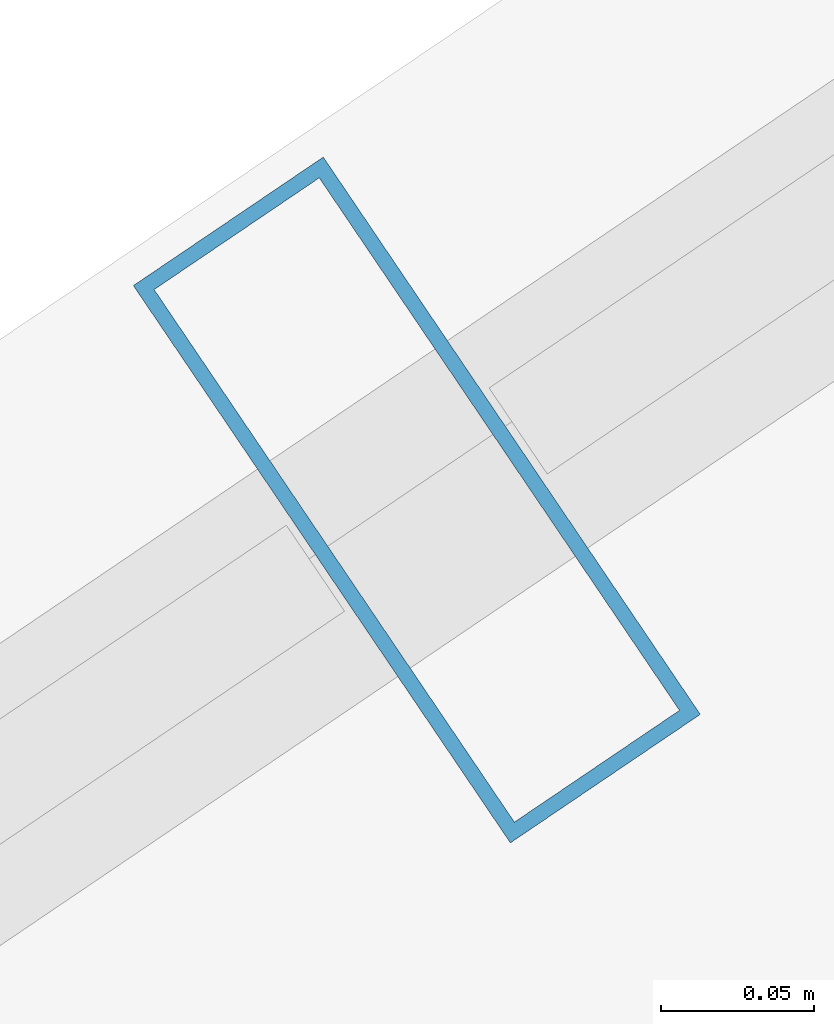
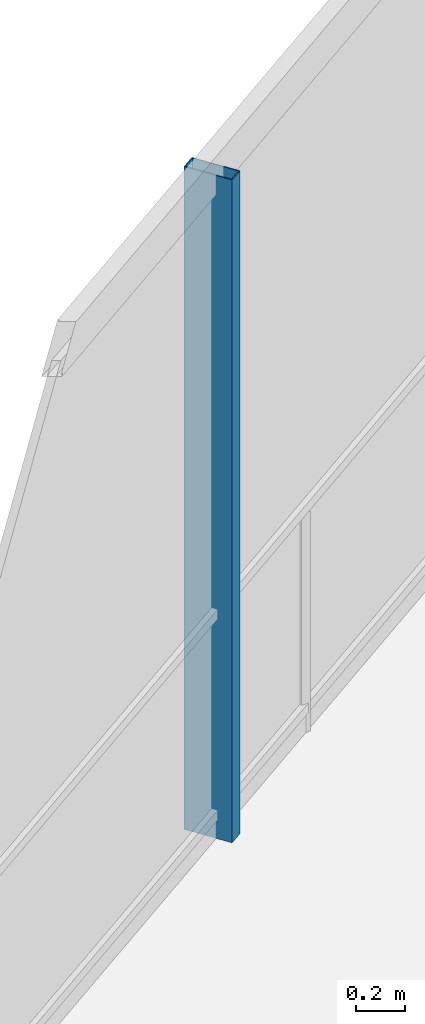
# One storey, part 12 of 20: 1 member, 1 element without a shape of its own.
"""IFC4 building model written with IfcOpenShell, lengths in metres."""

from ifc_helpers import new_model, si_unit, direction, frame, origin, origin_2d, place, context, subcontext, project, spatial, hollow_rectangle, extrude, material, layer, layer_set, material_profile, profile_set, type_object, element, aggregate, save


model = new_model("IFC4")

# Units and contexts
model_context = context("Model", 3, precision=1e-05, world=origin(), true_north=direction((0.0, 1.0)))
body_context = subcontext(model_context, "Body", "Model", "MODEL_VIEW")
ifc_project = project(units=[si_unit("LENGTHUNIT", "METRE"), si_unit("AREAUNIT", "SQUARE_METRE"), si_unit("VOLUMEUNIT", "CUBIC_METRE"), si_unit("PLANEANGLEUNIT", "RADIAN"), si_unit("MASSUNIT", "GRAM", prefix="KILO")], contexts=[model_context])

# Site, building, storey
site_placement = place(None, origin())
site = spatial("IfcSite", under=ifc_project, at=site_placement, CompositionType="ELEMENT")
building_placement = place(site_placement, origin())
building = spatial("IfcBuilding", under=site, at=building_placement, Name="Qarnah Convention Tower", CompositionType="ELEMENT")
storey_placement = place(building_placement, frame((0.0, 0.0, 195.0)))
storey = spatial("IfcBuildingStorey", under=building, at=storey_placement, Name="L52", CompositionType="ELEMENT", Elevation=195.0)

# Curtain wall, member
ifc_material_1 = material(Name="Tempered Low-E dark glass", Category="glass")
ifc_layer = layer(ifc_material_1, 0.174072265625)
ifc_layer_set = layer_set([ifc_layer], Name="Tempered Low-E dark glass")
curtain_wall_type = type_object("IfcCurtainWallType", Name="CWS-04", PredefinedType="NOTDEFINED", material=ifc_layer_set)
curtain_wall_placement = place(storey_placement, origin())
curtain_wall = element("IfcCurtainWall", 1, at=curtain_wall_placement, inside=storey, type_object=curtain_wall_type, Name="L52 unitised curtain wall CW-L52-F1", PredefinedType="NOTDEFINED")
ifc_material_2 = material(Name="Black anodised aluminium", Category="aluminium")
ifc_material_profile = material_profile(ifc_material_2, hollow_rectangle(XDim=0.074951171875, YDim=0.219970703125, WallThickness=0.0048828125, at=origin_2d()), Name="MUL-75X220")
ifc_profile_set = profile_set([ifc_material_profile], Name="Black anodised aluminium")
member_type = type_object("IfcMemberType", Name="MUL-T4", PredefinedType="MULLION", material=ifc_profile_set)
member_placement = place(storey_placement, frame((25.9384765625, 37.943359375, 0.0), z_axis=(0.0, 0.0, 1.0), x_axis=(0.828250839809, 0.560357516552, 0.0)))
member = element("IfcMember", 2, at=member_placement, type_object=member_type, Name="CW-L52-F1 mullion 3", PredefinedType="MULLION", context=body_context, shape_type="SweptSolid", body=[
    extrude(hollow_rectangle(XDim=0.074951171875, YDim=0.219970703125, WallThickness=0.0048828125, at=origin_2d()), origin(), (0.0, 0.0, 1.0), 3.320068359375),
])
aggregate(curtain_wall, [member])

save(model, "model.ifc")
